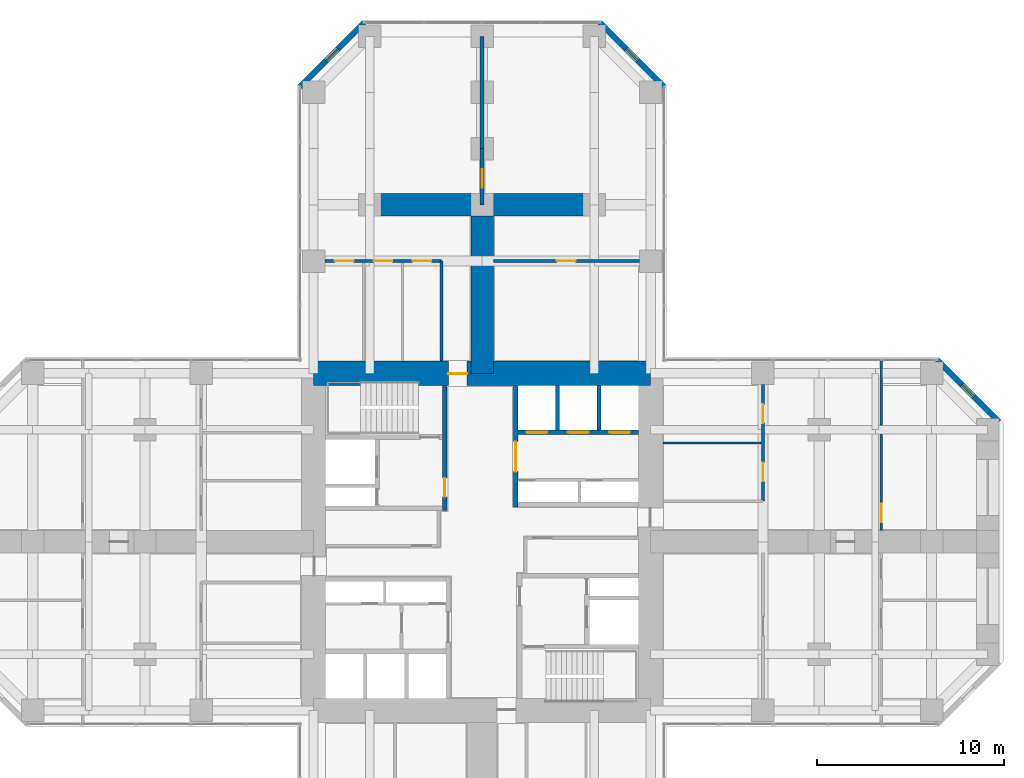
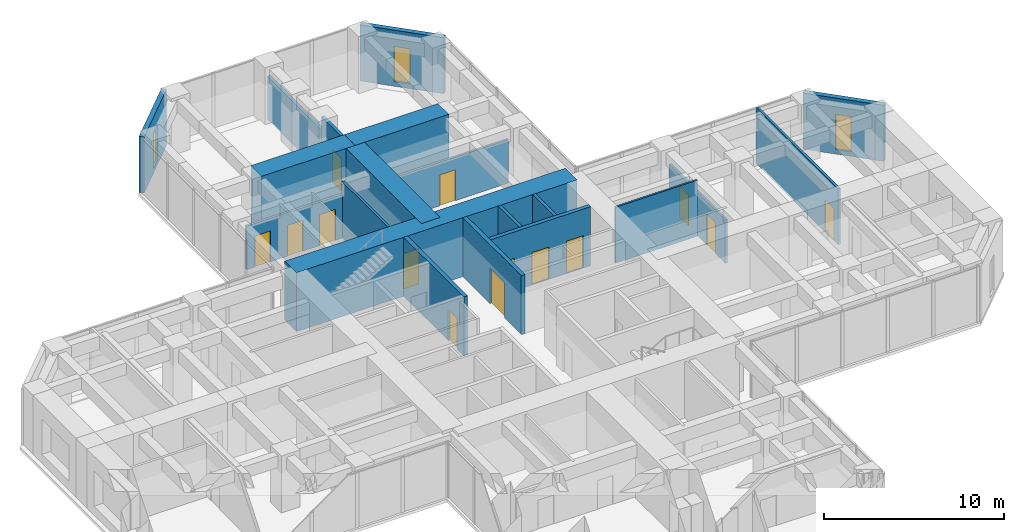
# One storey, part 11 of 13: 20 walls, 14 doors, 3 windows, 17 openings.
"""IFC4 building model written with IfcOpenShell, lengths in metres."""

import ifcopenshell
import ifcopenshell.guid

model = None  # the IFC model being written
_history = None  # IfcOwnerHistory: only IFC2X3 demands one
_inside = {}  # id of a spatial element -> (the spatial element, [elements in it])
_under = {}  # id of a project, library or spatial element -> (it, [spatial elements below it])
_declared = {}  # id of a project -> (the project, [libraries it declares])
_typed = {}  # id of a type object -> (the type object, [elements of that type])
_made_of = {}  # id of a material, layer set ... -> (it, [elements and type objects made of it])


def new_model(schema):
    """Start an empty IFC model of exactly this schema.

    Asked for "IFC4X3", IfcOpenShell would pick the latest addendum, in which some entities
    have other attributes; the version numbers below select the first issue.
    IFC2X3 requires an IfcOwnerHistory on every rooted entity: one is made here for all.
    """
    global model, _history
    if schema == "IFC4X3":
        model = ifcopenshell.file(schema_version=(4, 3, 0, 0))
    else:
        model = ifcopenshell.file(schema=schema)
    _inside.clear()
    _under.clear()
    _declared.clear()
    _typed.clear()
    _made_of.clear()
    _history = None
    if model.schema == "IFC2X3":
        org = make("IfcOrganization", Name="unknown")
        user = make(
            "IfcPersonAndOrganization",
            ThePerson=make("IfcPerson", FamilyName="unknown"),
            TheOrganization=org,
        )
        app = make(
            "IfcApplication",
            ApplicationDeveloper=org,
            Version="unknown",
            ApplicationFullName="unknown",
            ApplicationIdentifier="unknown",
        )
        _history = make(
            "IfcOwnerHistory",
            OwningUser=user,
            OwningApplication=app,
            ChangeAction="ADDED",
            CreationDate=0,
        )
    return model


def make(cls, **values):
    """One entity of the class cls with the attributes given. An attribute that is None is left unset."""
    return model.create_entity(
        cls, **{name: value for name, value in values.items() if value is not None}
    )


def rooted(cls, **values):
    """An entity with a GlobalId (a new one), such as an element, a storey or a relation."""
    return make(cls, GlobalId=ifcopenshell.guid.new(), OwnerHistory=_history, **values)


def si_unit(unit_type, name, prefix=None):
    """IfcSIUnit, for example si_unit("LENGTHUNIT", "METRE", prefix="MILLI")."""
    return make("IfcSIUnit", UnitType=unit_type, Prefix=prefix, Name=name)


def assignment(units):
    """IfcUnitAssignment: the units of a project."""
    return None if units is None else make("IfcUnitAssignment", Units=units)


def point(xyz):
    """IfcCartesianPoint."""
    return None if xyz is None else make("IfcCartesianPoint", Coordinates=xyz)


def direction(xyz):
    """IfcDirection."""
    return None if xyz is None else make("IfcDirection", DirectionRatios=xyz)


def frame(location, z_axis=None, x_axis=None):
    """IfcAxis2Placement3D, a coordinate frame: its origin and axes. An axis left out is left unset."""
    return make(
        "IfcAxis2Placement3D",
        Location=point(location),
        Axis=direction(z_axis),
        RefDirection=direction(x_axis),
    )


def frame_2d(location, x_axis=None):
    """IfcAxis2Placement2D, a coordinate frame in the plane: its origin and x axis."""
    return make(
        "IfcAxis2Placement2D", Location=point(location), RefDirection=direction(x_axis)
    )


def origin():
    """The frame at (0, 0, 0) with its axes left unset."""
    return frame((0.0, 0.0, 0.0))


def place(relative_to, where):
    """IfcLocalPlacement: puts the frame where relative to a parent placement (None: the world)."""
    return make(
        "IfcLocalPlacement", PlacementRelTo=relative_to, RelativePlacement=where
    )


def context(
    kind, dimensions, precision=None, world=None, true_north=None, identifier=None
):
    """IfcGeometricRepresentationContext, for example the 3D "Model" context."""
    return make(
        "IfcGeometricRepresentationContext",
        ContextIdentifier=identifier,
        ContextType=kind,
        CoordinateSpaceDimension=dimensions,
        Precision=precision,
        WorldCoordinateSystem=world,
        TrueNorth=true_north,
    )


def subcontext(parent, identifier, kind, view, scale=None):
    """IfcGeometricRepresentationSubContext, for example "Body" below "Model"."""
    return make(
        "IfcGeometricRepresentationSubContext",
        ContextIdentifier=identifier,
        ContextType=kind,
        ParentContext=parent,
        TargetScale=scale,
        TargetView=view,
    )


def project(units=None, contexts=None):
    """IfcProject with its units and contexts."""
    return rooted(
        "IfcProject",
        Name="project",
        RepresentationContexts=contexts,
        UnitsInContext=assignment(units),
    )


def spatial(cls, under=None, at=None, **own):
    """A site, building, storey or space (cls), placed at a placement, below another one or the project."""
    s = rooted(cls, ObjectPlacement=at, **own)
    if under is not None:
        _under.setdefault(under.id(), (under, []))[1].append(s)
    return s


def profile(cls, at=None, kind="AREA", **sizes):
    """A parametric profile (cls). Its sizes go by their IFC names, for example OverallWidth=200.0."""
    return make(cls, ProfileType=kind, Position=at, **sizes)


def rectangle(**sizes):
    """IfcRectangleProfileDef."""
    return profile("IfcRectangleProfileDef", **sizes)


def hollow_rectangle(**sizes):
    """IfcRectangleHollowProfileDef."""
    return profile("IfcRectangleHollowProfileDef", **sizes)


def extrude(swept, where, along, depth):
    """IfcExtrudedAreaSolid: the profile swept, set in the frame where, extruded along a direction by depth."""
    return make(
        "IfcExtrudedAreaSolid",
        SweptArea=swept,
        Position=where,
        ExtrudedDirection=direction(along),
        Depth=depth,
    )


def shape(context_of_items, identifier, shape_type, items):
    """IfcShapeRepresentation: the items that make up one representation, for example the "Body"."""
    return make(
        "IfcShapeRepresentation",
        ContextOfItems=context_of_items,
        RepresentationIdentifier=identifier,
        RepresentationType=shape_type,
        Items=items,
    )


def material(Name=None, Category=None):
    """IfcMaterial."""
    return make("IfcMaterial", Name=Name, Category=Category)


def layer(
    of_material, thickness, ventilated=None, Name=None, Category=None, Priority=None
):
    """IfcMaterialLayer: one layer of a wall or slab, of a material (None: an air gap)."""
    return make(
        "IfcMaterialLayer",
        Material=of_material,
        LayerThickness=thickness,
        IsVentilated=ventilated,
        Name=Name,
        Category=Category,
        Priority=Priority,
    )


def layer_set(layers, Name=None):
    """IfcMaterialLayerSet."""
    return make("IfcMaterialLayerSet", MaterialLayers=layers, LayerSetName=Name)


def constituent(of_material, Name=None, Category=None, fraction=None):
    """IfcMaterialConstituent: one of the materials an element consists of."""
    return make(
        "IfcMaterialConstituent",
        Name=Name,
        Material=of_material,
        Fraction=fraction,
        Category=Category,
    )


def constituent_set(constituents=None, Name=None):
    """IfcMaterialConstituentSet."""
    return make(
        "IfcMaterialConstituentSet", Name=Name, MaterialConstituents=constituents
    )


def made_of(thing, what):
    """Note that an element or type object is made of a material, layer set ...; save() writes the relation."""
    if what is not None:
        _made_of.setdefault(what.id(), (what, []))[1].append(thing)
    return thing


def type_object(cls, material=None, **own):
    """A type object (cls), such as IfcWallType, which elements share."""
    return made_of(rooted(cls, **own), material)


def element(
    cls,
    number,
    at=None,
    inside=None,
    cuts=None,
    type_object=None,
    material=None,
    context=None,
    identifier="Body",
    shape_type=None,
    held_by="IfcProductDefinitionShape",
    body=None,
    shapes=None,
    **own,
):
    """One element of the class cls, such as IfcWall. Its Tag is "e" and its number.

    at: its placement. inside: the storey or other place that contains it. cuts: it is an
    opening in that element (IfcRelVoidsElement). A single representation is given by context,
    identifier, shape_type and body (its items); several are given by shapes. held_by: the class
    of the entity that holds the representations. save() writes the other relations.
    """
    e = rooted(cls, Tag="e%d" % number, ObjectPlacement=at, **own)
    if body is not None:
        shapes = [shape(context, identifier, shape_type, body)]
    if shapes is not None:
        e.Representation = make(held_by, Representations=shapes)
    if inside is not None:
        _inside.setdefault(inside.id(), (inside, []))[1].append(e)
    if cuts is not None:
        rooted(
            "IfcRelVoidsElement", RelatingBuildingElement=cuts, RelatedOpeningElement=e
        )
    if type_object is not None:
        _typed.setdefault(type_object.id(), (type_object, []))[1].append(e)
    return made_of(e, material)


def fill(opening, filler):
    """IfcRelFillsElement: the door or window that sits in an opening."""
    return rooted(
        "IfcRelFillsElement",
        RelatingOpeningElement=opening,
        RelatedBuildingElement=filler,
    )


def aggregate(whole, parts):
    """IfcRelAggregates: a whole, such as a stair, and the parts it consists of."""
    return rooted("IfcRelAggregates", RelatingObject=whole, RelatedObjects=parts)


def save(model, path):
    """Write the relations noted so far, then the file.

    IfcRelAggregates (storeys below a building ...), IfcRelContainedInSpatialStructure (elements
    in a storey), IfcRelDefinesByType, IfcRelAssociatesMaterial and IfcRelDeclares: one each for
    every whole, place, type object, material and project.
    """
    for whole, parts in _under.values():
        aggregate(whole, parts)
    for where, things in _inside.values():
        rooted(
            "IfcRelContainedInSpatialStructure",
            RelatedElements=things,
            RelatingStructure=where,
        )
    for kind, things in _typed.values():
        rooted("IfcRelDefinesByType", RelatedObjects=things, RelatingType=kind)
    for what, things in _made_of.values():
        rooted("IfcRelAssociatesMaterial", RelatedObjects=things, RelatingMaterial=what)
    for by, libraries in _declared.values():
        rooted("IfcRelDeclares", RelatingContext=by, RelatedDefinitions=libraries)
    model.write(path)


model = new_model("IFC4")

# Units and contexts
model_context = context("Model", 3, precision=1e-05, world=origin(), true_north=direction((0.0, 1.0)))
body_context = subcontext(model_context, "Body", "Model", "MODEL_VIEW")
ifc_project = project(units=[si_unit("LENGTHUNIT", "METRE"), si_unit("AREAUNIT", "SQUARE_METRE"), si_unit("VOLUMEUNIT", "CUBIC_METRE"), si_unit("PLANEANGLEUNIT", "RADIAN"), si_unit("MASSUNIT", "GRAM", prefix="KILO")], contexts=[model_context])

# Site, building, storey
site_placement = place(None, origin())
site = spatial("IfcSite", under=ifc_project, at=site_placement, CompositionType="ELEMENT")
building_placement = place(site_placement, origin())
building = spatial("IfcBuilding", under=site, at=building_placement, Name="Torre Cruceta", CompositionType="ELEMENT")
storey_placement = place(building_placement, frame((0.0, 0.0, 51.5)))
storey = spatial("IfcBuildingStorey", under=building, at=storey_placement, Name="L12", CompositionType="ELEMENT", Elevation=51.5)

# Wall, opening, door
ifc_material_1 = material(Name="Concrete G60 (fck 60 MPa)", Category="concrete")
ifc_layer_1 = layer(ifc_material_1, 0.25)
ifc_layer_set_1 = layer_set([ifc_layer_1], Name="Concrete G60 (fck 60 MPa)")
wall_type_1 = type_object("IfcWallType", Name="CORE INNER WALL 250 G60", PredefinedType="SHEAR", material=ifc_layer_set_1)
wall_1_placement = place(storey_placement, frame((1.800048828125, 1.875, 0.0), z_axis=(0.0, 0.0, 1.0), x_axis=(0.0, 1.0, 0.0)))
wall_1 = element("IfcWall", 1, at=wall_1_placement, inside=storey, type_object=wall_type_1, Name="CW4 L12 NE-CU", PredefinedType="SHEAR", context=body_context, shape_type="SweptSolid", body=[
    extrude(rectangle(XDim=6.47509765625, YDim=0.25, at=frame_2d((3.237548828125, 0.0))), origin(), (0.0, 0.0, 1.0), 4.0),
])
opening_1_placement = place(wall_1_placement, frame((1.875, 0.0, 0.0)))
opening_1 = element("IfcOpeningElement", 2, at=opening_1_placement, cuts=wall_1, Name="Opening D8", PredefinedType="OPENING", context=body_context, shape_type="SweptSolid", body=[
    extrude(rectangle(XDim=1.60009765625, YDim=2.39990234375, at=frame_2d((0.800048828125, 1.199951171875))), frame((0.0, 0.135009765625, 0.0), z_axis=(0.0, -1.0, 0.0), x_axis=(1.0, 0.0, 0.0)), (0.0, 0.0, 1.0), 0.27001953125),
])
ifc_material_2 = material(Name="Steel DX51D", Category="steel")
ifc_constituent_1 = constituent(ifc_material_2, Name="Leaf and frame")
ifc_material_3 = material(Name="Polyester powder coating", Category="paint")
ifc_constituent_2 = constituent(ifc_material_3, Name="Finish")
ifc_material_4 = material(Name="Fire-resisting glass", Category="glass")
ifc_constituent_3 = constituent(ifc_material_4, Name="Vision panel")
ifc_constituent_set_1 = constituent_set(constituents=[ifc_constituent_1, ifc_constituent_2, ifc_constituent_3], Name="Steel fire door with vision panels")
door_type_1 = type_object("IfcDoorType", Name="LIFT LOBBY DOUBLE DOOR 1600X2400", OperationType="DOUBLE_DOOR_DOUBLE_SWING", PredefinedType="DOOR", material=ifc_constituent_set_1)
door_1_placement = place(opening_1_placement, origin())
door_1 = element("IfcDoor", 3, at=door_1_placement, inside=storey, type_object=door_type_1, Name="D8 L12 NE-LOBBY", OperationType="DOUBLE_DOOR_DOUBLE_SWING", OverallHeight=2.39990234375, OverallWidth=1.60009765625, PredefinedType="DOOR", context=body_context, shape_type="SweptSolid", body=[
    extrude(rectangle(XDim=1.60009765625, YDim=2.39990234375, at=frame_2d((0.800048828125, 1.199951171875))), frame((0.0, 0.02490234375, 0.0), z_axis=(0.0, -1.0, 0.0), x_axis=(1.0, 0.0, 0.0)), (0.0, 0.0, 1.0), 0.050048828125),
])
fill(opening_1, door_1)

# Wall, openings, doors
wall_2_placement = place(storey_placement, frame((1.925048828125, 5.85009765625, 0.0), z_axis=(0.0, 0.0, 1.0), x_axis=(1.0, 0.0, 0.0)))
wall_2 = element("IfcWall", 4, at=wall_2_placement, inside=storey, type_object=wall_type_1, Name="CW4 L12 NE-LV", PredefinedType="SHEAR", context=body_context, shape_type="SweptSolid", body=[
    extrude(rectangle(XDim=6.425048828125, YDim=0.25, at=frame_2d((3.21240234375, 0.0))), origin(), (0.0, 0.0, 1.0), 4.0),
])
opening_2_placement = place(wall_2_placement, frame((0.4541015625, 0.0, 0.0)))
opening_2 = element("IfcOpeningElement", 5, at=opening_2_placement, cuts=wall_2, Name="Opening LD1", PredefinedType="OPENING", context=body_context, shape_type="SweptSolid", body=[
    extrude(rectangle(XDim=1.10009765625, YDim=2.199951171875, at=frame_2d((0.550048828125, 1.10009765625))), frame((0.0, 0.135009765625, 0.0), z_axis=(0.0, -1.0, 0.0), x_axis=(1.0, 0.0, 0.0)), (0.0, 0.0, 1.0), 0.27001953125),
])
opening_3_placement = place(wall_2_placement, frame((2.66259765625, 0.0, 0.0)))
opening_3 = element("IfcOpeningElement", 6, at=opening_3_placement, cuts=wall_2, Name="Opening LD1", PredefinedType="OPENING", context=body_context, shape_type="SweptSolid", body=[
    extrude(rectangle(XDim=1.10009765625, YDim=2.199951171875, at=frame_2d((0.550048828125, 1.10009765625))), frame((0.0, 0.135009765625, 0.0), z_axis=(0.0, -1.0, 0.0), x_axis=(1.0, 0.0, 0.0)), (0.0, 0.0, 1.0), 0.27001953125),
])
opening_4_placement = place(wall_2_placement, frame((4.870849609375, 0.0, 0.0)))
opening_4 = element("IfcOpeningElement", 7, at=opening_4_placement, cuts=wall_2, Name="Opening LD1", PredefinedType="OPENING", context=body_context, shape_type="SweptSolid", body=[
    extrude(rectangle(XDim=1.10009765625, YDim=2.199951171875, at=frame_2d((0.550048828125, 1.10009765625))), frame((0.0, 0.135009765625, 0.0), z_axis=(0.0, -1.0, 0.0), x_axis=(1.0, 0.0, 0.0)), (0.0, 0.0, 1.0), 0.27001953125),
])
ifc_material_5 = material(Name="Stainless steel 1.4401", Category="steel")
door_type_2 = type_object("IfcDoorType", Name="LIFT LANDING DOOR 1100X2200", OperationType="DOUBLE_DOOR_SLIDING", PredefinedType="DOOR", material=ifc_material_5)
door_2_placement = place(opening_2_placement, origin())
door_2 = element("IfcDoor", 8, at=door_2_placement, inside=storey, type_object=door_type_2, Name="Lift landing door P1", OperationType="DOUBLE_DOOR_SLIDING", OverallHeight=2.199951171875, OverallWidth=1.10009765625, PredefinedType="DOOR", context=body_context, shape_type="SweptSolid", body=[
    extrude(rectangle(XDim=1.10009765625, YDim=2.199951171875, at=frame_2d((0.550048828125, 1.10009765625))), frame((0.0, 0.02490234375, 0.0), z_axis=(0.0, -1.0, 0.0), x_axis=(1.0, 0.0, 0.0)), (0.0, 0.0, 1.0), 0.050048828125),
])
fill(opening_2, door_2)
door_3_placement = place(opening_3_placement, origin())
door_3 = element("IfcDoor", 9, at=door_3_placement, inside=storey, type_object=door_type_2, Name="Lift landing door P2", OperationType="DOUBLE_DOOR_SLIDING", OverallHeight=2.199951171875, OverallWidth=1.10009765625, PredefinedType="DOOR", context=body_context, shape_type="SweptSolid", body=[
    extrude(rectangle(XDim=1.10009765625, YDim=2.199951171875, at=frame_2d((0.550048828125, 1.10009765625))), frame((0.0, 0.02490234375, 0.0), z_axis=(0.0, -1.0, 0.0), x_axis=(1.0, 0.0, 0.0)), (0.0, 0.0, 1.0), 0.050048828125),
])
fill(opening_3, door_3)
door_4_placement = place(opening_4_placement, origin())
door_4 = element("IfcDoor", 10, at=door_4_placement, inside=storey, type_object=door_type_2, Name="Lift landing door P3", OperationType="DOUBLE_DOOR_SLIDING", OverallHeight=2.199951171875, OverallWidth=1.10009765625, PredefinedType="DOOR", context=body_context, shape_type="SweptSolid", body=[
    extrude(rectangle(XDim=1.10009765625, YDim=2.199951171875, at=frame_2d((0.550048828125, 1.10009765625))), frame((0.0, 0.02490234375, 0.0), z_axis=(0.0, -1.0, 0.0), x_axis=(1.0, 0.0, 0.0)), (0.0, 0.0, 1.0), 0.050048828125),
])
fill(opening_4, door_4)

# Wall, opening, door
wall_3_placement = place(storey_placement, frame((-2.0, 1.675048828125, 0.0), z_axis=(0.0, 0.0, 1.0), x_axis=(0.0, 1.0, 0.0)))
wall_3 = element("IfcWall", 11, at=wall_3_placement, inside=storey, type_object=wall_type_1, Name="CW4 L12 NW-CU", PredefinedType="SHEAR", context=body_context, shape_type="SweptSolid", body=[
    extrude(rectangle(XDim=6.675048828125, YDim=0.25, at=frame_2d((3.33740234375, 0.0))), origin(), (0.0, 0.0, 1.0), 4.0),
])
opening_5_placement = place(wall_3_placement, frame((0.72509765625, 0.0, 0.0)))
opening_5 = element("IfcOpeningElement", 12, at=opening_5_placement, cuts=wall_3, Name="Opening D3", PredefinedType="OPENING", context=body_context, shape_type="SweptSolid", body=[
    extrude(rectangle(XDim=1.0, YDim=2.10009765625, at=frame_2d((0.5, 1.050048828125))), frame((0.0, 0.135009765625, 0.0), z_axis=(0.0, -1.0, 0.0), x_axis=(1.0, 0.0, 0.0)), (0.0, 0.0, 1.0), 0.27001953125),
])
ifc_material_6 = material(Name="Steel DX51D", Category="steel")
ifc_constituent_4 = constituent(ifc_material_6, Name="Leaf and frame")
ifc_material_7 = material(Name="Polyester powder coating", Category="paint")
ifc_constituent_5 = constituent(ifc_material_7, Name="Finish")
ifc_constituent_set_2 = constituent_set(constituents=[ifc_constituent_4, ifc_constituent_5], Name="Steel fire door")
door_type_3 = type_object("IfcDoorType", Name="FIRE DOOR 1000X2100", OperationType="SINGLE_SWING_LEFT", PredefinedType="DOOR", material=ifc_constituent_set_2)
door_5_placement = place(opening_5_placement, origin())
door_5 = element("IfcDoor", 13, at=door_5_placement, inside=storey, type_object=door_type_3, Name="D3 L12 NW-LOBBY", OperationType="SINGLE_SWING_LEFT", OverallHeight=2.10009765625, OverallWidth=1.0, PredefinedType="DOOR", context=body_context, shape_type="SweptSolid", body=[
    extrude(rectangle(XDim=1.0, YDim=2.10009765625, at=frame_2d((0.5, 1.050048828125))), frame((0.0, 0.02490234375, 0.0), z_axis=(0.0, -1.0, 0.0), x_axis=(1.0, 0.0, 0.0)), (0.0, 0.0, 1.0), 0.050048828125),
])
fill(opening_5, door_5)

ifc_material_8 = material(Name="Concrete G60 (fck 60 MPa)", Category="concrete")
ifc_layer_2 = layer(ifc_material_8, 1.300048828125)
ifc_layer_set_2 = layer_set([ifc_layer_2], Name="Concrete G60 (fck 60 MPa)")
wall_type_2 = type_object("IfcWallType", Name="CORE WALL 1300 G60", PredefinedType="SHEAR", material=ifc_layer_set_2)
wall_4_placement = place(storey_placement, frame((9.0, 9.0, 0.0), z_axis=(0.0, 0.0, 1.0), x_axis=(-1.0, 0.0, 0.0)))
wall_4 = element("IfcWall", 14, at=wall_4_placement, inside=storey, type_object=wall_type_2, Name="CW1 L12 CW-N", PredefinedType="SHEAR", context=body_context, shape_type="SweptSolid", body=[
    extrude(rectangle(XDim=18.0, YDim=1.300048828125, at=frame_2d((9.0, 0.0))), origin(), (0.0, 0.0, 1.0), 4.0),
])
opening_6_placement = place(wall_4_placement, frame((9.800048828125, 0.0, 0.0)))
opening_6 = element("IfcOpeningElement", 15, at=opening_6_placement, cuts=wall_4, Name="Opening D4", PredefinedType="OPENING", context=body_context, shape_type="SweptSolid", body=[
    extrude(rectangle(XDim=1.0, YDim=2.39990234375, at=frame_2d((0.5, 1.199951171875))), frame((0.0, 0.659912109375, 0.0), z_axis=(0.0, -1.0, 0.0), x_axis=(1.0, 0.0, 0.0)), (0.0, 0.0, 1.0), 1.320068359375),
])
ifc_material_9 = material(Name="Steel DX51D", Category="steel")
ifc_constituent_6 = constituent(ifc_material_9, Name="Leaf and frame")
ifc_material_10 = material(Name="Polyester powder coating", Category="paint")
ifc_constituent_7 = constituent(ifc_material_10, Name="Finish")
ifc_constituent_set_3 = constituent_set(constituents=[ifc_constituent_6, ifc_constituent_7], Name="Steel fire door")
door_type_4 = type_object("IfcDoorType", Name="CORE ARM DOOR 1000X2400", OperationType="SINGLE_SWING_RIGHT", PredefinedType="DOOR", material=ifc_constituent_set_3)
door_6_placement = place(opening_6_placement, frame((1.0, 0.0, 0.0), z_axis=(0.0, 0.0, 1.0), x_axis=(-1.0, 0.0, 0.0)))
door_6 = element("IfcDoor", 16, at=door_6_placement, inside=storey, type_object=door_type_4, Name="D4 L12 CW-N", OperationType="SINGLE_SWING_RIGHT", OverallHeight=2.39990234375, OverallWidth=1.0, PredefinedType="DOOR", context=body_context, shape_type="SweptSolid", body=[
    extrude(rectangle(XDim=1.0, YDim=2.39990234375, at=frame_2d((0.5, 1.199951171875))), frame((0.0, -0.005126953125, 0.0), z_axis=(0.0, -1.0, 0.0), x_axis=(1.0, 0.0, 0.0)), (0.0, 0.0, 1.0), 0.050048828125),
])
fill(opening_6, door_6)

ifc_material_11 = material(Name="Concrete G25 (fck 25 MPa)", Category="concrete")
ifc_layer_3 = layer(ifc_material_11, 0.199951171875)
ifc_layer_set_3 = layer_set([ifc_layer_3], Name="Concrete G25 (fck 25 MPa)")
wall_type_3 = type_object("IfcWallType", Name="CORRIDOR WALL 200", PredefinedType="SOLIDWALL", material=ifc_layer_set_3)
wall_5_placement = place(storey_placement, frame((0.0, 18.0, 0.0), z_axis=(0.0, 0.0, 1.0), x_axis=(0.0, 1.0, 0.0)))
wall_5 = element("IfcWall", 17, at=wall_5_placement, inside=storey, type_object=wall_type_3, Name="PT3 spine line L12 N", PredefinedType="SOLIDWALL", context=body_context, shape_type="SweptSolid", body=[
    extrude(rectangle(XDim=3.0, YDim=0.199951171875, at=frame_2d((1.5, 0.0))), origin(), (0.0, 0.0, 1.0), 3.800048828125),
])
opening_7_placement = place(wall_5_placement, frame((0.89990234375, 0.0, 0.0)))
opening_7 = element("IfcOpeningElement", 18, at=opening_7_placement, cuts=wall_5, Name="Opening D14", PredefinedType="OPENING", context=body_context, shape_type="SweptSolid", body=[
    extrude(rectangle(XDim=1.0, YDim=2.199951171875, at=frame_2d((0.5, 1.10009765625))), frame((0.0, 0.10986328125, 0.0), z_axis=(0.0, -1.0, 0.0), x_axis=(1.0, 0.0, 0.0)), (0.0, 0.0, 1.0), 0.219970703125),
])
ifc_material_12 = material(Name="Steel DX51D", Category="steel")
ifc_constituent_8 = constituent(ifc_material_12, Name="Leaf and frame")
ifc_material_13 = material(Name="Polyester powder coating", Category="paint")
ifc_constituent_9 = constituent(ifc_material_13, Name="Finish")
ifc_material_14 = material(Name="Fire-resisting glass", Category="glass")
ifc_constituent_10 = constituent(ifc_material_14, Name="Vision panel")
ifc_constituent_set_4 = constituent_set(constituents=[ifc_constituent_8, ifc_constituent_9, ifc_constituent_10], Name="Steel fire door with vision panel")
door_type_5 = type_object("IfcDoorType", Name="FIRE DOOR VISION PANEL 1000X2200", OperationType="SINGLE_SWING_RIGHT", PredefinedType="DOOR", material=ifc_constituent_set_4)
door_7_placement = place(opening_7_placement, frame((1.0, 0.0, 0.0), z_axis=(0.0, 0.0, 1.0), x_axis=(-1.0, 0.0, 0.0)))
door_7 = element("IfcDoor", 19, at=door_7_placement, inside=storey, type_object=door_type_5, Name="D14 L12-N-SP1", OperationType="SINGLE_SWING_RIGHT", OverallHeight=2.199951171875, OverallWidth=1.0, PredefinedType="DOOR", context=body_context, shape_type="SweptSolid", body=[
    extrude(rectangle(XDim=1.0, YDim=2.199951171875, at=frame_2d((0.5, 1.10009765625))), frame((0.0, 0.025146484375, 0.0), z_axis=(0.0, -1.0, 0.0), x_axis=(1.0, 0.0, 0.0)), (0.0, 0.0, 1.0), 0.050048828125),
])
fill(opening_7, door_7)

# Walls
wall_6_placement = place(storey_placement, frame((0.0, 21.0, 0.0), z_axis=(0.0, 0.0, 1.0), x_axis=(0.0, 1.0, 0.0)))
element("IfcWall", 20, at=wall_6_placement, inside=storey, type_object=wall_type_3, Name="PT3 spine line L12 N 2", PredefinedType="SOLIDWALL", context=body_context, shape_type="SweptSolid", body=[
    extrude(rectangle(XDim=6.0, YDim=0.199951171875, at=frame_2d((3.0, 0.0))), origin(), (0.0, 0.0, 1.0), 2.89990234375),
])
ifc_material_15 = material(Name="Concrete G60 (fck 60 MPa)", Category="concrete")
ifc_layer_4 = layer(ifc_material_15, 1.199951171875)
ifc_layer_set_4 = layer_set([ifc_layer_4], Name="Concrete G60 (fck 60 MPa)")
wall_type_4 = type_object("IfcWallType", Name="CROSS WALL 1200 G60", PredefinedType="SHEAR", material=ifc_layer_set_4)
for number, where, z_axis, x_axis, name in (
    (21, (0.0, 18.0, 0.0), (0.0, 0.0, 1.0), (-1.0, 0.0, 0.0), "XW1 cross wall L12 N L"),
    (22, (0.0, 18.0, 0.0), (0.0, 0.0, 1.0), (1.0, 0.0, 0.0), "XW1 cross wall L12 N R"),
):
    element("IfcWall", number, at=place(storey_placement, frame(where, z_axis=z_axis, x_axis=x_axis)), inside=storey, type_object=wall_type_4, Name=name, PredefinedType="SHEAR", context=body_context, shape_type="SweptSolid", body=[
        extrude(rectangle(XDim=6.0, YDim=1.199951171875, at=frame_2d((3.0, 0.0))), origin(), (0.0, 0.0, 1.0), 4.0),
    ])

# Wall, opening, window
ifc_material_16 = material(Name="Concrete G30 (fck 30 MPa)", Category="concrete")
ifc_layer_5 = layer(ifc_material_16, 0.300048828125)
ifc_layer_set_5 = layer_set([ifc_layer_5], Name="Concrete G30 (fck 30 MPa)")
wall_type_5 = type_object("IfcWallType", Name="EXPOSED CONCRETE FACADE WALL 300", PredefinedType="SOLIDWALL", material=ifc_layer_set_5)
wall_7_placement = place(storey_placement, frame((27.60009765625, 6.418212890625, 0.0), z_axis=(0.0, 0.0, 1.0), x_axis=(-0.707106781187, 0.707106781187, 0.0)))
wall_7 = element("IfcWall", 23, at=wall_7_placement, inside=storey, type_object=wall_type_5, Name="EW1 facade wall L12 E chamfer 03", PredefinedType="SOLIDWALL", context=body_context, shape_type="SweptSolid", body=[
    extrude(rectangle(XDim=4.66943359375, YDim=0.300048828125, at=frame_2d((2.334716796875, 0.0))), origin(), (0.0, 0.0, 1.0), 3.800048828125),
])
opening_8_placement = place(wall_7_placement, frame((1.884765625, 0.0, 0.300048828125)))
opening_8 = element("IfcOpeningElement", 24, at=opening_8_placement, cuts=wall_7, Name="Opening WN5", PredefinedType="OPENING", context=body_context, shape_type="SweptSolid", body=[
    extrude(rectangle(XDim=0.89990234375, YDim=2.39990234375, at=frame_2d((0.449951171875, 1.199951171875))), frame((0.0, 0.159912109375, 0.0), z_axis=(0.0, -1.0, 0.0), x_axis=(1.0, 0.0, 0.0)), (0.0, 0.0, 1.0), 0.320068359375),
])
ifc_material_17 = material(Name="Aluminium window frame", Category="aluminium")
ifc_constituent_11 = constituent(ifc_material_17, Name="Frame")
ifc_material_18 = material(Name="Laminated insulating glass unit, low-iron clear", Category="glass")
ifc_constituent_12 = constituent(ifc_material_18, Name="Glazing")
ifc_constituent_set_5 = constituent_set(constituents=[ifc_constituent_11, ifc_constituent_12], Name="Aluminium window")
window_type = type_object("IfcWindowType", Name="CHAMFER SLOT WINDOW 900X2400", PartitioningType="SINGLE_PANEL", PredefinedType="WINDOW", material=ifc_constituent_set_5)
window_1_placement = place(opening_8_placement, origin())
window_1 = element("IfcWindow", 25, at=window_1_placement, inside=storey, type_object=window_type, Name="WN5 L12 E 1", OverallHeight=2.39990234375, OverallWidth=0.89990234375, PartitioningType="SINGLE_PANEL", PredefinedType="WINDOW", context=body_context, shape_type="SweptSolid", body=[
    extrude(hollow_rectangle(XDim=0.89990234375, YDim=2.39990234375, WallThickness=0.06005859375, at=frame_2d((0.449951171875, 1.199951171875))), frame((0.0, 0.030029296875, 0.0), z_axis=(0.0, -1.0, 0.0), x_axis=(1.0, 0.0, 0.0)), (0.0, 0.0, 1.0), 0.06005859375),
    extrude(rectangle(XDim=0.77880859375, YDim=2.27880859375, at=frame_2d((0.449951171875, 1.199951171875))), frame((0.0, 0.030029296875, 0.0), z_axis=(0.0, -1.0, 0.0), x_axis=(1.0, 0.0, 0.0)), (0.0, 0.0, 1.0), 0.06005859375),
])
fill(opening_8, window_1)

wall_8_placement = place(storey_placement, frame((9.719970703125, 24.29833984375, 0.0), z_axis=(0.0, 0.0, 1.0), x_axis=(-0.707106781187, 0.707106781187, 0.0)))
wall_8 = element("IfcWall", 26, at=wall_8_placement, inside=storey, type_object=wall_type_5, Name="EW1 facade wall L12 N chamfer 06", PredefinedType="SOLIDWALL", context=body_context, shape_type="SweptSolid", body=[
    extrude(rectangle(XDim=4.8388671875, YDim=0.300048828125, at=frame_2d((2.41943359375, 0.0))), origin(), (0.0, 0.0, 1.0), 3.800048828125),
])
opening_9_placement = place(wall_8_placement, frame((1.969482421875, 0.0, 0.300048828125)))
opening_9 = element("IfcOpeningElement", 27, at=opening_9_placement, cuts=wall_8, Name="Opening WN5", PredefinedType="OPENING", context=body_context, shape_type="SweptSolid", body=[
    extrude(rectangle(XDim=0.89990234375, YDim=2.39990234375, at=frame_2d((0.449951171875, 1.199951171875))), frame((0.0, 0.159912109375, 0.0), z_axis=(0.0, -1.0, 0.0), x_axis=(1.0, 0.0, 0.0)), (0.0, 0.0, 1.0), 0.320068359375),
])
window_2_placement = place(opening_9_placement, origin())
window_2 = element("IfcWindow", 28, at=window_2_placement, inside=storey, type_object=window_type, Name="WN5 L12 N 1", OverallHeight=2.39990234375, OverallWidth=0.89990234375, PartitioningType="SINGLE_PANEL", PredefinedType="WINDOW", context=body_context, shape_type="SweptSolid", body=[
    extrude(hollow_rectangle(XDim=0.89990234375, YDim=2.39990234375, WallThickness=0.06005859375, at=frame_2d((0.449951171875, 1.199951171875))), frame((0.0, 0.030029296875, 0.0), z_axis=(0.0, -1.0, 0.0), x_axis=(1.0, 0.0, 0.0)), (0.0, 0.0, 1.0), 0.06005859375),
    extrude(rectangle(XDim=0.77880859375, YDim=2.27880859375, at=frame_2d((0.449951171875, 1.199951171875))), frame((0.0, 0.030029296875, 0.0), z_axis=(0.0, -1.0, 0.0), x_axis=(1.0, 0.0, 0.0)), (0.0, 0.0, 1.0), 0.06005859375),
])
fill(opening_9, window_2)

wall_9_placement = place(storey_placement, frame((-6.29833984375, 27.719970703125, 0.0), z_axis=(0.0, 0.0, 1.0), x_axis=(-0.707106781187, -0.707106781187, 0.0)))
wall_9 = element("IfcWall", 29, at=wall_9_placement, inside=storey, type_object=wall_type_5, Name="EW1 facade wall L12 N chamfer 08", PredefinedType="SOLIDWALL", context=body_context, shape_type="SweptSolid", body=[
    extrude(rectangle(XDim=4.8388671875, YDim=0.300048828125, at=frame_2d((2.41943359375, 0.0))), origin(), (0.0, 0.0, 1.0), 3.800048828125),
])
opening_10_placement = place(wall_9_placement, frame((1.969482421875, 0.0, 0.300048828125)))
opening_10 = element("IfcOpeningElement", 30, at=opening_10_placement, cuts=wall_9, Name="Opening WN5", PredefinedType="OPENING", context=body_context, shape_type="SweptSolid", body=[
    extrude(rectangle(XDim=0.89990234375, YDim=2.39990234375, at=frame_2d((0.449951171875, 1.199951171875))), frame((0.0, 0.159912109375, 0.0), z_axis=(0.0, -1.0, 0.0), x_axis=(1.0, 0.0, 0.0)), (0.0, 0.0, 1.0), 0.320068359375),
])
window_3_placement = place(opening_10_placement, origin())
window_3 = element("IfcWindow", 31, at=window_3_placement, inside=storey, type_object=window_type, Name="WN5 L12 N 1", OverallHeight=2.39990234375, OverallWidth=0.89990234375, PartitioningType="SINGLE_PANEL", PredefinedType="WINDOW", context=body_context, shape_type="SweptSolid", body=[
    extrude(hollow_rectangle(XDim=0.89990234375, YDim=2.39990234375, WallThickness=0.06005859375, at=frame_2d((0.449951171875, 1.199951171875))), frame((0.0, 0.030029296875, 0.0), z_axis=(0.0, -1.0, 0.0), x_axis=(1.0, 0.0, 0.0)), (0.0, 0.0, 1.0), 0.06005859375),
    extrude(rectangle(XDim=0.77880859375, YDim=2.27880859375, at=frame_2d((0.449951171875, 1.199951171875))), frame((0.0, 0.030029296875, 0.0), z_axis=(0.0, -1.0, 0.0), x_axis=(1.0, 0.0, 0.0)), (0.0, 0.0, 1.0), 0.06005859375),
])
fill(opening_10, window_3)

# Walls
ifc_material_19 = material(Name="Concrete G35 (fck 35 MPa)", Category="concrete")
ifc_layer_6 = layer(ifc_material_19, 0.199951171875)
ifc_layer_set_6 = layer_set([ifc_layer_6], Name="Concrete G35 (fck 35 MPa)")
wall_type_6 = type_object("IfcWallType", Name="LIFT SHAFT WALL 200", PredefinedType="PARTITIONING", material=ifc_layer_set_6)
for number, where, z_axis, x_axis, name in (
    (32, (4.033447265625, 5.97509765625, 0.0), (0.0, 0.0, 1.0), (0.0, 1.0, 0.0), "SW1 L12 NE-LS1"),
    (33, (6.24169921875, 5.97509765625, 0.0), (0.0, 0.0, 1.0), (0.0, 1.0, 0.0), "SW1 L12 NE-LS2"),
):
    element("IfcWall", number, at=place(storey_placement, frame(where, z_axis=z_axis, x_axis=x_axis)), inside=storey, type_object=wall_type_6, Name=name, PredefinedType="PARTITIONING", context=body_context, shape_type="SweptSolid", body=[
        extrude(rectangle(XDim=2.375, YDim=0.199951171875, at=frame_2d((1.1875, 0.0))), origin(), (0.0, 0.0, 1.0), 4.0),
    ])

# Wall, openings, doors
ifc_material_20 = material(Name="Plasterboard on steel studs", Category="steel")
ifc_layer_7 = layer(ifc_material_20, 0.14990234375)
ifc_layer_set_7 = layer_set([ifc_layer_7], Name="Plasterboard on steel studs")
wall_type_7 = type_object("IfcWallType", Name="PARTITION 150", PredefinedType="PARTITIONING", material=ifc_layer_set_7)
wall_10_placement = place(storey_placement, frame((-2.175048828125, 15.0, 0.0), z_axis=(0.0, 0.0, 1.0), x_axis=(-1.0, 0.0, 0.0)))
wall_10 = element("IfcWall", 34, at=wall_10_placement, inside=storey, type_object=wall_type_7, Name="PT1 L12-N-BFL", PredefinedType="PARTITIONING", context=body_context, shape_type="SweptSolid", body=[
    extrude(rectangle(XDim=6.224853515625, YDim=0.14990234375, at=frame_2d((3.1123046875, 0.0))), origin(), (0.0, 0.0, 1.0), 2.949951171875),
])
opening_11_placement = place(wall_10_placement, frame((0.53759765625, 0.0, 0.0)))
opening_11 = element("IfcOpeningElement", 35, at=opening_11_placement, cuts=wall_10, Name="Opening D3", PredefinedType="OPENING", context=body_context, shape_type="SweptSolid", body=[
    extrude(rectangle(XDim=1.0, YDim=2.10009765625, at=frame_2d((0.5, 1.050048828125))), frame((0.0, 0.0849609375, 0.0), z_axis=(0.0, -1.0, 0.0), x_axis=(1.0, 0.0, 0.0)), (0.0, 0.0, 1.0), 0.169921875),
])
opening_12_placement = place(wall_10_placement, frame((2.612548828125, 0.0, 0.0)))
opening_12 = element("IfcOpeningElement", 36, at=opening_12_placement, cuts=wall_10, Name="Opening D3", PredefinedType="OPENING", context=body_context, shape_type="SweptSolid", body=[
    extrude(rectangle(XDim=1.0, YDim=2.10009765625, at=frame_2d((0.5, 1.050048828125))), frame((0.0, 0.0849609375, 0.0), z_axis=(0.0, -1.0, 0.0), x_axis=(1.0, 0.0, 0.0)), (0.0, 0.0, 1.0), 0.169921875),
])
opening_13_placement = place(wall_10_placement, frame((4.6875, 0.0, 0.0)))
opening_13 = element("IfcOpeningElement", 37, at=opening_13_placement, cuts=wall_10, Name="Opening D3", PredefinedType="OPENING", context=body_context, shape_type="SweptSolid", body=[
    extrude(rectangle(XDim=1.0, YDim=2.10009765625, at=frame_2d((0.5, 1.050048828125))), frame((0.0, 0.0849609375, 0.0), z_axis=(0.0, -1.0, 0.0), x_axis=(1.0, 0.0, 0.0)), (0.0, 0.0, 1.0), 0.169921875),
])
door_8_placement = place(opening_11_placement, origin())
door_8 = element("IfcDoor", 38, at=door_8_placement, inside=storey, type_object=door_type_3, Name="D3 L12-N-BFL-D1", OperationType="SINGLE_SWING_LEFT", OverallHeight=2.10009765625, OverallWidth=1.0, PredefinedType="DOOR", context=body_context, shape_type="SweptSolid", body=[
    extrude(rectangle(XDim=1.0, YDim=2.10009765625, at=frame_2d((0.5, 1.050048828125))), frame((0.0, 0.02490234375, 0.0), z_axis=(0.0, -1.0, 0.0), x_axis=(1.0, 0.0, 0.0)), (0.0, 0.0, 1.0), 0.050048828125),
])
fill(opening_11, door_8)
door_9_placement = place(opening_12_placement, origin())
door_9 = element("IfcDoor", 39, at=door_9_placement, inside=storey, type_object=door_type_3, Name="D3 L12-N-BFL-D2", OperationType="SINGLE_SWING_LEFT", OverallHeight=2.10009765625, OverallWidth=1.0, PredefinedType="DOOR", context=body_context, shape_type="SweptSolid", body=[
    extrude(rectangle(XDim=1.0, YDim=2.10009765625, at=frame_2d((0.5, 1.050048828125))), frame((0.0, 0.02490234375, 0.0), z_axis=(0.0, -1.0, 0.0), x_axis=(1.0, 0.0, 0.0)), (0.0, 0.0, 1.0), 0.050048828125),
])
fill(opening_12, door_9)
door_10_placement = place(opening_13_placement, origin())
door_10 = element("IfcDoor", 40, at=door_10_placement, inside=storey, type_object=door_type_3, Name="D3 L12-N-BFL-D3", OperationType="SINGLE_SWING_LEFT", OverallHeight=2.10009765625, OverallWidth=1.0, PredefinedType="DOOR", context=body_context, shape_type="SweptSolid", body=[
    extrude(rectangle(XDim=1.0, YDim=2.10009765625, at=frame_2d((0.5, 1.050048828125))), frame((0.0, 0.02490234375, 0.0), z_axis=(0.0, -1.0, 0.0), x_axis=(1.0, 0.0, 0.0)), (0.0, 0.0, 1.0), 0.050048828125),
])
fill(opening_13, door_10)

# Wall
wall_11_placement = place(storey_placement, frame((-2.175048828125, 9.64990234375, 0.0), z_axis=(0.0, 0.0, 1.0), x_axis=(0.0, 1.0, 0.0)))
element("IfcWall", 41, at=wall_11_placement, inside=storey, type_object=wall_type_7, Name="PT1 L12-N-BSL", PredefinedType="PARTITIONING", context=body_context, shape_type="SweptSolid", body=[
    extrude(rectangle(XDim=5.35009765625, YDim=0.14990234375, at=frame_2d((2.675048828125, 0.0))), origin(), (0.0, 0.0, 1.0), 3.800048828125),
])

# Wall, opening, door
wall_12_placement = place(storey_placement, frame((8.39990234375, 15.0, 0.0), z_axis=(0.0, 0.0, 1.0), x_axis=(-1.0, 0.0, 0.0)))
wall_12 = element("IfcWall", 42, at=wall_12_placement, inside=storey, type_object=wall_type_7, Name="PT1 L12-N-BFR", PredefinedType="PARTITIONING", context=body_context, shape_type="SweptSolid", body=[
    extrude(rectangle(XDim=7.7998046875, YDim=0.14990234375, at=frame_2d((3.89990234375, 0.0))), origin(), (0.0, 0.0, 1.0), 2.949951171875),
])
opening_14_placement = place(wall_12_placement, frame((3.39990234375, 0.0, 0.0)))
opening_14 = element("IfcOpeningElement", 43, at=opening_14_placement, cuts=wall_12, Name="Opening D3", PredefinedType="OPENING", context=body_context, shape_type="SweptSolid", body=[
    extrude(rectangle(XDim=1.0, YDim=2.10009765625, at=frame_2d((0.5, 1.050048828125))), frame((0.0, 0.0849609375, 0.0), z_axis=(0.0, -1.0, 0.0), x_axis=(1.0, 0.0, 0.0)), (0.0, 0.0, 1.0), 0.169921875),
])
door_11_placement = place(opening_14_placement, origin())
door_11 = element("IfcDoor", 44, at=door_11_placement, inside=storey, type_object=door_type_3, Name="D3 L12-N-BFR-D1", OperationType="SINGLE_SWING_RIGHT", OverallHeight=2.10009765625, OverallWidth=1.0, PredefinedType="DOOR", context=body_context, shape_type="SweptSolid", body=[
    extrude(rectangle(XDim=1.0, YDim=2.10009765625, at=frame_2d((0.5, 1.050048828125))), frame((0.0, 0.02490234375, 0.0), z_axis=(0.0, -1.0, 0.0), x_axis=(1.0, 0.0, 0.0)), (0.0, 0.0, 1.0), 0.050048828125),
])
fill(opening_14, door_11)

# Wall, openings, doors
wall_13_placement = place(storey_placement, frame((15.0, 2.175048828125, 0.0), z_axis=(0.0, 0.0, 1.0), x_axis=(0.0, 1.0, 0.0)))
wall_13 = element("IfcWall", 45, at=wall_13_placement, inside=storey, type_object=wall_type_7, Name="PT1 L12-E-BFL", PredefinedType="PARTITIONING", context=body_context, shape_type="SweptSolid", body=[
    extrude(rectangle(XDim=6.224853515625, YDim=0.14990234375, at=frame_2d((3.1123046875, 0.0))), origin(), (0.0, 0.0, 1.0), 2.949951171875),
])
opening_15_placement = place(wall_13_placement, frame((1.05615234375, 0.0, 0.0)))
opening_15 = element("IfcOpeningElement", 46, at=opening_15_placement, cuts=wall_13, Name="Opening D3", PredefinedType="OPENING", context=body_context, shape_type="SweptSolid", body=[
    extrude(rectangle(XDim=1.0, YDim=2.10009765625, at=frame_2d((0.5, 1.050048828125))), frame((0.0, 0.0849609375, 0.0), z_axis=(0.0, -1.0, 0.0), x_axis=(1.0, 0.0, 0.0)), (0.0, 0.0, 1.0), 0.169921875),
])
opening_16_placement = place(wall_13_placement, frame((4.168701171875, 0.0, 0.0)))
opening_16 = element("IfcOpeningElement", 47, at=opening_16_placement, cuts=wall_13, Name="Opening D3", PredefinedType="OPENING", context=body_context, shape_type="SweptSolid", body=[
    extrude(rectangle(XDim=1.0, YDim=2.10009765625, at=frame_2d((0.5, 1.050048828125))), frame((0.0, 0.0849609375, 0.0), z_axis=(0.0, -1.0, 0.0), x_axis=(1.0, 0.0, 0.0)), (0.0, 0.0, 1.0), 0.169921875),
])
door_12_placement = place(opening_15_placement, origin())
door_12 = element("IfcDoor", 48, at=door_12_placement, inside=storey, type_object=door_type_3, Name="D3 L12-E-BFL-D1", OperationType="SINGLE_SWING_LEFT", OverallHeight=2.10009765625, OverallWidth=1.0, PredefinedType="DOOR", context=body_context, shape_type="SweptSolid", body=[
    extrude(rectangle(XDim=1.0, YDim=2.10009765625, at=frame_2d((0.5, 1.050048828125))), frame((0.0, 0.02490234375, 0.0), z_axis=(0.0, -1.0, 0.0), x_axis=(1.0, 0.0, 0.0)), (0.0, 0.0, 1.0), 0.050048828125),
])
fill(opening_15, door_12)
door_13_placement = place(opening_16_placement, origin())
door_13 = element("IfcDoor", 49, at=door_13_placement, inside=storey, type_object=door_type_3, Name="D3 L12-E-BFL-D2", OperationType="SINGLE_SWING_LEFT", OverallHeight=2.10009765625, OverallWidth=1.0, PredefinedType="DOOR", context=body_context, shape_type="SweptSolid", body=[
    extrude(rectangle(XDim=1.0, YDim=2.10009765625, at=frame_2d((0.5, 1.050048828125))), frame((0.0, 0.02490234375, 0.0), z_axis=(0.0, -1.0, 0.0), x_axis=(1.0, 0.0, 0.0)), (0.0, 0.0, 1.0), 0.050048828125),
])
fill(opening_16, door_13)

# Wall, opening, door
wall_14_placement = place(storey_placement, frame((21.320068359375, 0.60009765625, 0.0), z_axis=(0.0, 0.0, 1.0), x_axis=(0.0, 1.0, 0.0)))
wall_14 = element("IfcWall", 50, at=wall_14_placement, inside=storey, type_object=wall_type_7, Name="PT1 L12-E-TWL", PredefinedType="PARTITIONING", context=body_context, shape_type="SweptSolid", body=[
    extrude(rectangle(XDim=9.079833984375, YDim=0.14990234375, at=frame_2d((4.5400390625, 0.0))), origin(), (0.0, 0.0, 1.0), 3.800048828125),
])
opening_17_placement = place(wall_14_placement, frame((0.449951171875, 0.0, 0.0)))
opening_17 = element("IfcOpeningElement", 51, at=opening_17_placement, cuts=wall_14, Name="Opening D14", PredefinedType="OPENING", context=body_context, shape_type="SweptSolid", body=[
    extrude(rectangle(XDim=1.0, YDim=2.199951171875, at=frame_2d((0.5, 1.10009765625))), frame((0.0, 0.0849609375, 0.0), z_axis=(0.0, -1.0, 0.0), x_axis=(1.0, 0.0, 0.0)), (0.0, 0.0, 1.0), 0.169921875),
])
door_14_placement = place(opening_17_placement, frame((1.0, 0.0, 0.0), z_axis=(0.0, 0.0, 1.0), x_axis=(-1.0, 0.0, 0.0)))
door_14 = element("IfcDoor", 52, at=door_14_placement, inside=storey, type_object=door_type_5, Name="D14 L12-E-TWL-D1", OperationType="SINGLE_SWING_RIGHT", OverallHeight=2.199951171875, OverallWidth=1.0, PredefinedType="DOOR", context=body_context, shape_type="SweptSolid", body=[
    extrude(rectangle(XDim=1.0, YDim=2.199951171875, at=frame_2d((0.5, 1.10009765625))), frame((0.0, 0.025146484375, 0.0), z_axis=(0.0, -1.0, 0.0), x_axis=(1.0, 0.0, 0.0)), (0.0, 0.0, 1.0), 0.050048828125),
])
fill(opening_17, door_14)

# Walls
ifc_material_21 = material(Name="Concrete G60 (fck 60 MPa)", Category="concrete")
ifc_layer_8 = layer(ifc_material_21, 1.199951171875)
ifc_layer_set_8 = layer_set([ifc_layer_8], Name="Concrete G60 (fck 60 MPa)")
wall_type_8 = type_object("IfcWallType", Name="SPINE WALL 1200 G60", PredefinedType="SHEAR", material=ifc_layer_set_8)
wall_15_placement = place(storey_placement, frame((0.0, 9.0, 0.0), z_axis=(0.0, 0.0, 1.0), x_axis=(0.0, 1.0, 0.0)))
element("IfcWall", 53, at=wall_15_placement, inside=storey, type_object=wall_type_8, Name="SW3 spine wall L12 N", PredefinedType="SHEAR", context=body_context, shape_type="SweptSolid", body=[
    extrude(rectangle(XDim=9.0, YDim=1.199951171875, at=frame_2d((4.5, 0.0))), origin(), (0.0, 0.0, 1.0), 4.0),
])
ifc_material_22 = material(Name="Plasterboard on steel studs", Category="steel")
ifc_layer_9 = layer(ifc_material_22, 0.1201171875)
ifc_layer_set_9 = layer_set([ifc_layer_9], Name="Plasterboard on steel studs")
wall_type_9 = type_object("IfcWallType", Name="WC PARTITION 120", PredefinedType="PLUMBINGWALL", material=ifc_layer_set_9)
wall_16_placement = place(storey_placement, frame((9.64990234375, 5.28759765625, 0.0), z_axis=(0.0, 0.0, 1.0), x_axis=(1.0, 0.0, 0.0)))
element("IfcWall", 54, at=wall_16_placement, inside=storey, type_object=wall_type_9, Name="PT5 L12-E-BDL1", PredefinedType="PLUMBINGWALL", context=body_context, shape_type="SweptSolid", body=[
    extrude(rectangle(XDim=5.25, YDim=0.1201171875, at=frame_2d((2.625, 0.0))), origin(), (0.0, 0.0, 1.0), 3.800048828125),
])

save(model, "model.ifc")
